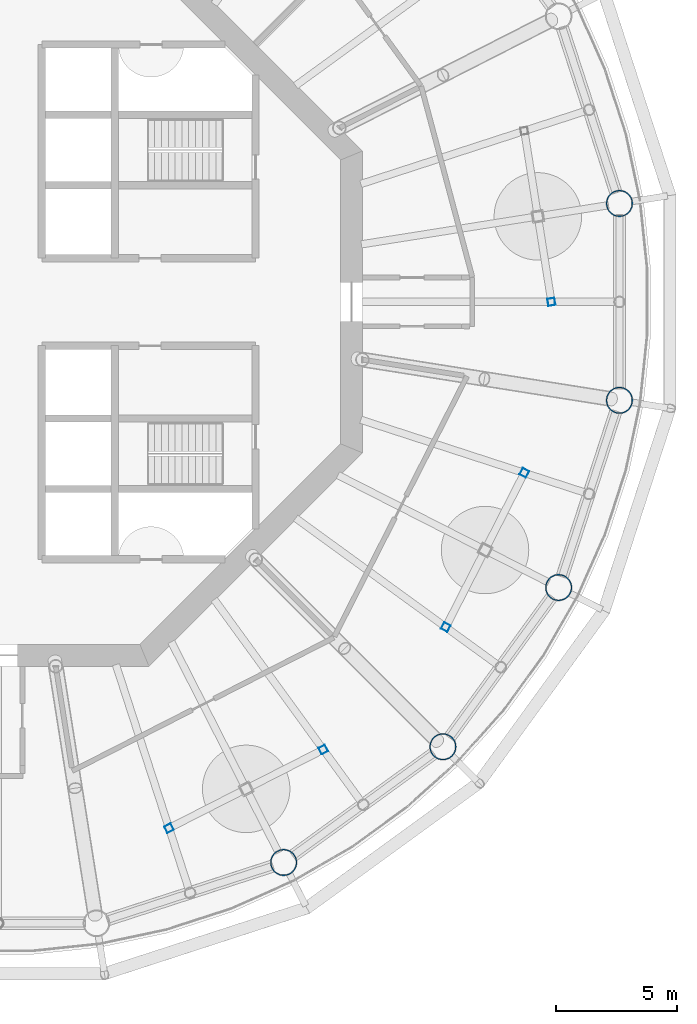
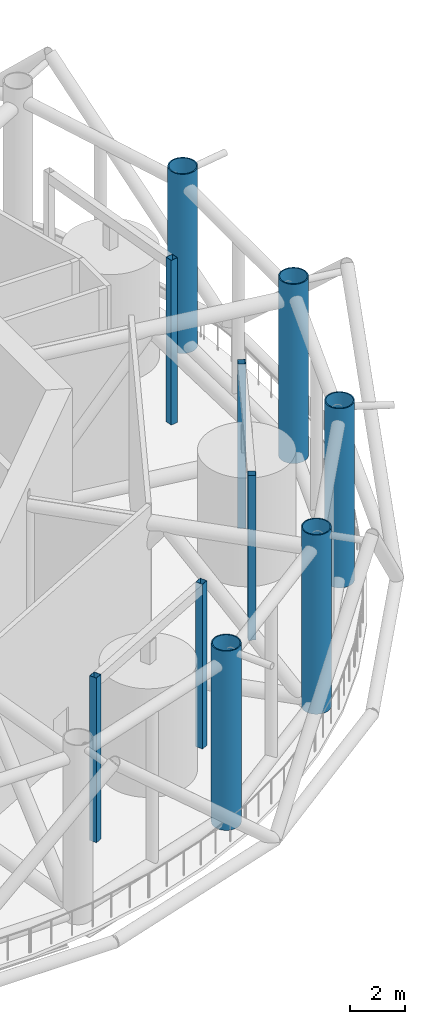
# One storey, part 3 of 22: 10 columns.
"""IFC4 building model written with IfcOpenShell, lengths in metres."""

import ifcopenshell
import ifcopenshell.guid

model = None  # the IFC model being written
_history = None  # IfcOwnerHistory: only IFC2X3 demands one
_inside = {}  # id of a spatial element -> (the spatial element, [elements in it])
_under = {}  # id of a project, library or spatial element -> (it, [spatial elements below it])
_declared = {}  # id of a project -> (the project, [libraries it declares])
_typed = {}  # id of a type object -> (the type object, [elements of that type])
_made_of = {}  # id of a material, layer set ... -> (it, [elements and type objects made of it])


def new_model(schema):
    """Start an empty IFC model of exactly this schema.

    Asked for "IFC4X3", IfcOpenShell would pick the latest addendum, in which some entities
    have other attributes; the version numbers below select the first issue.
    IFC2X3 requires an IfcOwnerHistory on every rooted entity: one is made here for all.
    """
    global model, _history
    if schema == "IFC4X3":
        model = ifcopenshell.file(schema_version=(4, 3, 0, 0))
    else:
        model = ifcopenshell.file(schema=schema)
    _inside.clear()
    _under.clear()
    _declared.clear()
    _typed.clear()
    _made_of.clear()
    _history = None
    if model.schema == "IFC2X3":
        org = make("IfcOrganization", Name="unknown")
        user = make(
            "IfcPersonAndOrganization",
            ThePerson=make("IfcPerson", FamilyName="unknown"),
            TheOrganization=org,
        )
        app = make(
            "IfcApplication",
            ApplicationDeveloper=org,
            Version="unknown",
            ApplicationFullName="unknown",
            ApplicationIdentifier="unknown",
        )
        _history = make(
            "IfcOwnerHistory",
            OwningUser=user,
            OwningApplication=app,
            ChangeAction="ADDED",
            CreationDate=0,
        )
    return model


def make(cls, **values):
    """One entity of the class cls with the attributes given. An attribute that is None is left unset."""
    return model.create_entity(
        cls, **{name: value for name, value in values.items() if value is not None}
    )


def rooted(cls, **values):
    """An entity with a GlobalId (a new one), such as an element, a storey or a relation."""
    return make(cls, GlobalId=ifcopenshell.guid.new(), OwnerHistory=_history, **values)


def si_unit(unit_type, name, prefix=None):
    """IfcSIUnit, for example si_unit("LENGTHUNIT", "METRE", prefix="MILLI")."""
    return make("IfcSIUnit", UnitType=unit_type, Prefix=prefix, Name=name)


def assignment(units):
    """IfcUnitAssignment: the units of a project."""
    return None if units is None else make("IfcUnitAssignment", Units=units)


def point(xyz):
    """IfcCartesianPoint."""
    return None if xyz is None else make("IfcCartesianPoint", Coordinates=xyz)


def direction(xyz):
    """IfcDirection."""
    return None if xyz is None else make("IfcDirection", DirectionRatios=xyz)


def frame(location, z_axis=None, x_axis=None):
    """IfcAxis2Placement3D, a coordinate frame: its origin and axes. An axis left out is left unset."""
    return make(
        "IfcAxis2Placement3D",
        Location=point(location),
        Axis=direction(z_axis),
        RefDirection=direction(x_axis),
    )


def frame_2d(location, x_axis=None):
    """IfcAxis2Placement2D, a coordinate frame in the plane: its origin and x axis."""
    return make(
        "IfcAxis2Placement2D", Location=point(location), RefDirection=direction(x_axis)
    )


def origin():
    """The frame at (0, 0, 0) with its axes left unset."""
    return frame((0.0, 0.0, 0.0))


def origin_2d():
    """The frame at (0, 0) in the plane with its x axis left unset."""
    return frame_2d((0.0, 0.0))


def place(relative_to, where):
    """IfcLocalPlacement: puts the frame where relative to a parent placement (None: the world)."""
    return make(
        "IfcLocalPlacement", PlacementRelTo=relative_to, RelativePlacement=where
    )


def context(
    kind, dimensions, precision=None, world=None, true_north=None, identifier=None
):
    """IfcGeometricRepresentationContext, for example the 3D "Model" context."""
    return make(
        "IfcGeometricRepresentationContext",
        ContextIdentifier=identifier,
        ContextType=kind,
        CoordinateSpaceDimension=dimensions,
        Precision=precision,
        WorldCoordinateSystem=world,
        TrueNorth=true_north,
    )


def subcontext(parent, identifier, kind, view, scale=None):
    """IfcGeometricRepresentationSubContext, for example "Body" below "Model"."""
    return make(
        "IfcGeometricRepresentationSubContext",
        ContextIdentifier=identifier,
        ContextType=kind,
        ParentContext=parent,
        TargetScale=scale,
        TargetView=view,
    )


def project(units=None, contexts=None):
    """IfcProject with its units and contexts."""
    return rooted(
        "IfcProject",
        Name="project",
        RepresentationContexts=contexts,
        UnitsInContext=assignment(units),
    )


def spatial(cls, under=None, at=None, **own):
    """A site, building, storey or space (cls), placed at a placement, below another one or the project."""
    s = rooted(cls, ObjectPlacement=at, **own)
    if under is not None:
        _under.setdefault(under.id(), (under, []))[1].append(s)
    return s


def profile(cls, at=None, kind="AREA", **sizes):
    """A parametric profile (cls). Its sizes go by their IFC names, for example OverallWidth=200.0."""
    return make(cls, ProfileType=kind, Position=at, **sizes)


def hollow_rectangle(**sizes):
    """IfcRectangleHollowProfileDef."""
    return profile("IfcRectangleHollowProfileDef", **sizes)


def circle(**sizes):
    """IfcCircleProfileDef."""
    return profile("IfcCircleProfileDef", **sizes)


def hollow_circle(**sizes):
    """IfcCircleHollowProfileDef."""
    return profile("IfcCircleHollowProfileDef", **sizes)


def extrude(swept, where, along, depth):
    """IfcExtrudedAreaSolid: the profile swept, set in the frame where, extruded along a direction by depth."""
    return make(
        "IfcExtrudedAreaSolid",
        SweptArea=swept,
        Position=where,
        ExtrudedDirection=direction(along),
        Depth=depth,
    )


def shape(context_of_items, identifier, shape_type, items):
    """IfcShapeRepresentation: the items that make up one representation, for example the "Body"."""
    return make(
        "IfcShapeRepresentation",
        ContextOfItems=context_of_items,
        RepresentationIdentifier=identifier,
        RepresentationType=shape_type,
        Items=items,
    )


def material(Name=None, Category=None):
    """IfcMaterial."""
    return make("IfcMaterial", Name=Name, Category=Category)


def material_profile(
    of_material, cross_section, Name=None, Category=None, Priority=None
):
    """IfcMaterialProfile: a cross section and its material."""
    return make(
        "IfcMaterialProfile",
        Name=Name,
        Material=of_material,
        Profile=cross_section,
        Priority=Priority,
        Category=Category,
    )


def profile_set(profiles, Name=None, composite=None):
    """IfcMaterialProfileSet."""
    return make(
        "IfcMaterialProfileSet",
        Name=Name,
        MaterialProfiles=profiles,
        CompositeProfile=composite,
    )


def made_of(thing, what):
    """Note that an element or type object is made of a material, layer set ...; save() writes the relation."""
    if what is not None:
        _made_of.setdefault(what.id(), (what, []))[1].append(thing)
    return thing


def type_object(cls, material=None, **own):
    """A type object (cls), such as IfcWallType, which elements share."""
    return made_of(rooted(cls, **own), material)


def element(
    cls,
    number,
    at=None,
    inside=None,
    cuts=None,
    type_object=None,
    material=None,
    context=None,
    identifier="Body",
    shape_type=None,
    held_by="IfcProductDefinitionShape",
    body=None,
    shapes=None,
    **own,
):
    """One element of the class cls, such as IfcWall. Its Tag is "e" and its number.

    at: its placement. inside: the storey or other place that contains it. cuts: it is an
    opening in that element (IfcRelVoidsElement). A single representation is given by context,
    identifier, shape_type and body (its items); several are given by shapes. held_by: the class
    of the entity that holds the representations. save() writes the other relations.
    """
    e = rooted(cls, Tag="e%d" % number, ObjectPlacement=at, **own)
    if body is not None:
        shapes = [shape(context, identifier, shape_type, body)]
    if shapes is not None:
        e.Representation = make(held_by, Representations=shapes)
    if inside is not None:
        _inside.setdefault(inside.id(), (inside, []))[1].append(e)
    if cuts is not None:
        rooted(
            "IfcRelVoidsElement", RelatingBuildingElement=cuts, RelatedOpeningElement=e
        )
    if type_object is not None:
        _typed.setdefault(type_object.id(), (type_object, []))[1].append(e)
    return made_of(e, material)


def aggregate(whole, parts):
    """IfcRelAggregates: a whole, such as a stair, and the parts it consists of."""
    return rooted("IfcRelAggregates", RelatingObject=whole, RelatedObjects=parts)


def save(model, path):
    """Write the relations noted so far, then the file.

    IfcRelAggregates (storeys below a building ...), IfcRelContainedInSpatialStructure (elements
    in a storey), IfcRelDefinesByType, IfcRelAssociatesMaterial and IfcRelDeclares: one each for
    every whole, place, type object, material and project.
    """
    for whole, parts in _under.values():
        aggregate(whole, parts)
    for where, things in _inside.values():
        rooted(
            "IfcRelContainedInSpatialStructure",
            RelatedElements=things,
            RelatingStructure=where,
        )
    for kind, things in _typed.values():
        rooted("IfcRelDefinesByType", RelatedObjects=things, RelatingType=kind)
    for what, things in _made_of.values():
        rooted("IfcRelAssociatesMaterial", RelatedObjects=things, RelatingMaterial=what)
    for by, libraries in _declared.values():
        rooted("IfcRelDeclares", RelatingContext=by, RelatedDefinitions=libraries)
    model.write(path)


model = new_model("IFC4")

# Units and contexts
model_context = context("Model", 3, precision=1e-05, world=origin(), true_north=direction((0.0, 1.0)))
body_context = subcontext(model_context, "Body", "Model", "MODEL_VIEW")
ifc_project = project(units=[si_unit("LENGTHUNIT", "METRE"), si_unit("AREAUNIT", "SQUARE_METRE"), si_unit("VOLUMEUNIT", "CUBIC_METRE"), si_unit("PLANEANGLEUNIT", "RADIAN"), si_unit("MASSUNIT", "GRAM", prefix="KILO")], contexts=[model_context])

# Site, building, storey
site_placement = place(None, origin())
site = spatial("IfcSite", under=ifc_project, at=site_placement, CompositionType="ELEMENT")
building_placement = place(site_placement, origin())
building = spatial("IfcBuilding", under=site, at=building_placement, Name="Entoto Ring Tower", CompositionType="ELEMENT")
storey_placement = place(building_placement, frame((0.0, 0.0, 230.0)))
storey = spatial("IfcBuildingStorey", under=building, at=storey_placement, Name="L53", CompositionType="ELEMENT", Elevation=230.0)

# Columns
ifc_material_1 = material(Name="Steel S355", Category="steel")
ifc_material_profile_1 = material_profile(ifc_material_1, hollow_circle(Radius=0.550048828125, WallThickness=0.044921875, at=origin_2d()), Name="CHS 1100 x 45")
ifc_material_2 = material(Name="Concrete C60/75", Category="concrete")
ifc_material_profile_2 = material_profile(ifc_material_2, circle(Radius=0.5048828125, at=origin_2d()), Name="Concrete C60/75 infill")
ifc_profile_set_1 = profile_set([ifc_material_profile_1, ifc_material_profile_2], Name="Steel S355")
column_type_1 = type_object("IfcColumnType", Name="Ring column 1100 x 45 concrete-filled tube", PredefinedType="COLUMN", material=ifc_profile_set_1)
for number, where, z_axis, x_axis, name in (
    (1, (115.5810546875, 84.0517578125, 0.0), (0.0, 0.0, 1.0), (1.0, 0.0, 0.0), "RC4B R01"),
    (2, (101.75830078125, 56.9228515625, 0.0), (0.0, 0.0, 1.0), (1.0, 0.0, 0.0), "RC4B R17"),
    (3, (108.31396484375, 61.68603515625, 0.0), (0.0, 0.0, 1.0), (1.0, 0.0, 0.0), "RC4B R18"),
    (4, (113.0771484375, 68.24169921875, 0.0), (0.0, 0.0, 1.0), (1.0, 0.0, 0.0), "RC4B R19"),
    (5, (115.5810546875, 75.9482421875, 0.0), (0.0, 0.0, 1.0), (1.0, 0.0, 0.0), "RC4B R20"),
):
    element("IfcColumn", number, at=place(storey_placement, frame(where, z_axis=z_axis, x_axis=x_axis)), inside=storey, type_object=column_type_1, Name=name, PredefinedType="COLUMN", context=body_context, shape_type="SweptSolid", body=[
        extrude(hollow_circle(Radius=0.550048828125, WallThickness=0.044921875, at=origin_2d()), origin(), (0.0, 0.0, 1.0), 8.0),
    ])
ifc_material_3 = material(Name="Steel S355", Category="steel")
ifc_material_profile_3 = material_profile(ifc_material_3, hollow_rectangle(XDim=0.300048828125, YDim=0.300048828125, WallThickness=0.011962890625, at=origin_2d()), Name="Turbine frame post 300 x 300 x 12 mm")
ifc_profile_set_2 = profile_set([ifc_material_profile_3], Name="Steel S355")
column_type_2 = type_object("IfcColumnType", Name="Turbine frame post 300 x 300 x 12 mm", PredefinedType="COLUMN", material=ifc_profile_set_2)
for number, where, z_axis, x_axis, name in (
    (6, (112.780517578125, 80.0, 0.0), (0.0, 0.0, 1.0), (-0.15643446504, 0.987688340595, 0.0), "TURBINE FRAME POST 1a"),
    (7, (97.03955078125, 58.33447265625, 0.0), (0.0, 0.0, 1.0), (0.891006524188, 0.45399049974, 0.0), "TURBINE FRAME POST 7a"),
    (8, (103.39013671875, 61.5703125, 0.0), (0.0, 0.0, 1.0), (0.891006524188, 0.45399049974, 0.0), "TURBINE FRAME POST 7b"),
    (9, (108.4296875, 66.60986328125, 0.0), (0.0, 0.0, 1.0), (0.45399049974, 0.891006524188, 0.0), "TURBINE FRAME POST 8a"),
    (10, (111.66552734375, 72.96044921875, 0.0), (0.0, 0.0, 1.0), (0.45399049974, 0.891006524188, 0.0), "TURBINE FRAME POST 8b"),
):
    element("IfcColumn", number, at=place(storey_placement, frame(where, z_axis=z_axis, x_axis=x_axis)), inside=storey, type_object=column_type_2, Name=name, PredefinedType="COLUMN", context=body_context, shape_type="SweptSolid", body=[
        extrude(hollow_rectangle(XDim=0.300048828125, YDim=0.300048828125, WallThickness=0.011962890625, at=origin_2d()), origin(), (0.0, 0.0, 1.0), 7.35009765625),
    ])

save(model, "model.ifc")
